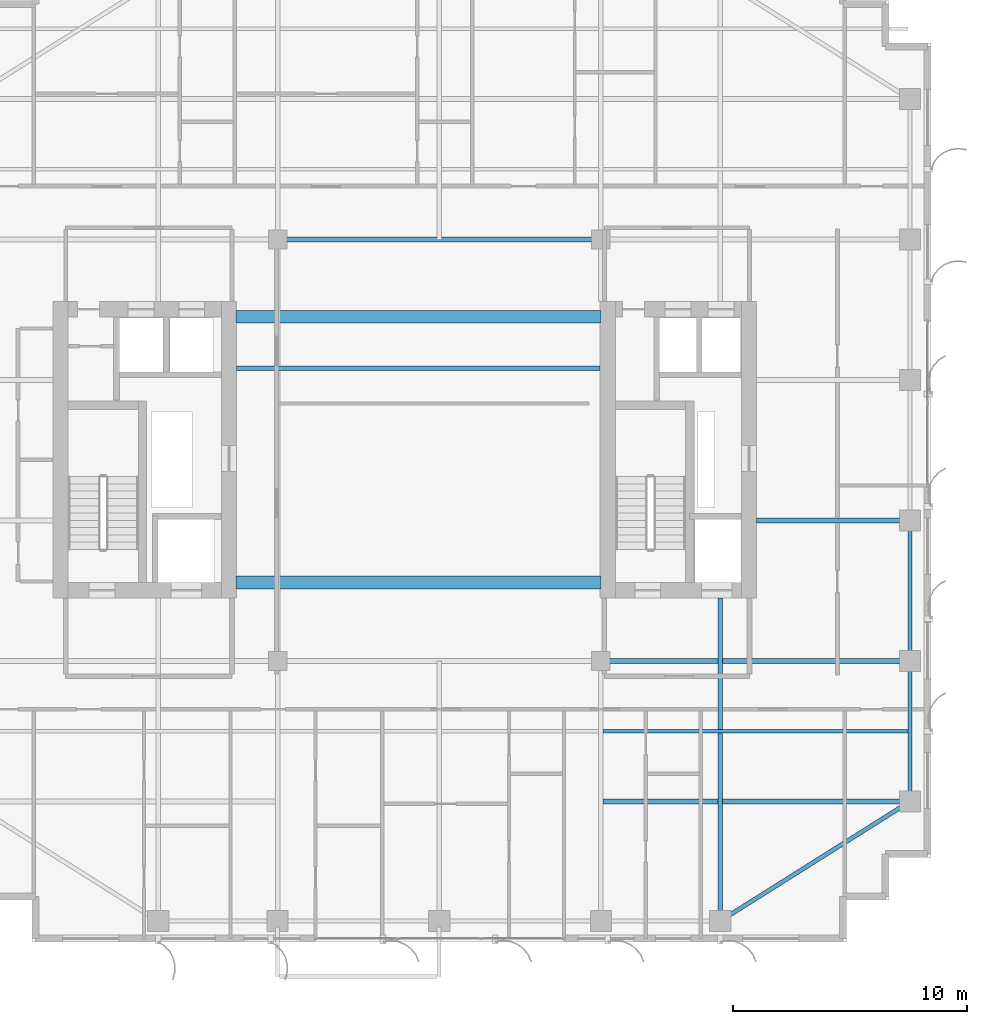
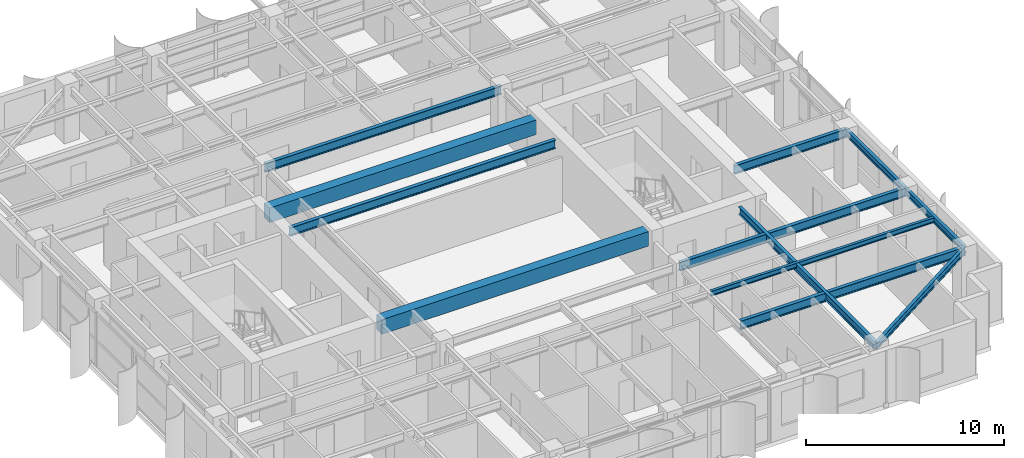
# One storey, part 8 of 23: 12 beams.
"""IFC4 building model written with IfcOpenShell, lengths in metres."""

from ifc_helpers import new_model, si_unit, direction, frame, origin, origin_2d, place, context, subcontext, project, spatial, rectangle, i_section, extrude, source, transform, mapped, material, material_profile, profile_set, type_object, element, save


model = new_model("IFC4")

# Units and contexts
model_context = context("Model", 3, precision=1e-05, world=origin(), true_north=direction((0.0, 1.0)))
body_context = subcontext(model_context, "Body", "Model", "MODEL_VIEW")
ifc_project = project(units=[si_unit("LENGTHUNIT", "METRE"), si_unit("AREAUNIT", "SQUARE_METRE"), si_unit("VOLUMEUNIT", "CUBIC_METRE"), si_unit("PLANEANGLEUNIT", "RADIAN"), si_unit("MASSUNIT", "GRAM", prefix="KILO")], contexts=[model_context])

# Site, building, storey
site_placement = place(None, origin())
site = spatial("IfcSite", under=ifc_project, at=site_placement, CompositionType="ELEMENT")
building_placement = place(site_placement, origin())
building = spatial("IfcBuilding", under=site, at=building_placement, Name="Khoralis Quay Care Tower", CompositionType="ELEMENT")
storey_placement = place(building_placement, frame((0.0, 0.0, 173.699951171875)))
storey = spatial("IfcBuildingStorey", under=building, at=storey_placement, Name="L45", CompositionType="ELEMENT", Elevation=173.699951171875)

# Beams
ifc_material_1 = material(Name="Concrete C65/80", Category="concrete")
ifc_material_profile_1 = material_profile(ifc_material_1, rectangle(XDim=0.550048828125, YDim=0.89990234375, at=origin_2d()), Name="Concrete C65/80")
ifc_profile_set_1 = profile_set([ifc_material_profile_1], Name="Concrete C65/80")
beam_type_1 = type_object("IfcBeamType", Name="CB-RC550X900", PredefinedType="LINTEL", material=ifc_profile_set_1)
shared_shape_1 = source(origin(), body_context, "Body", "SweptSolid", [
    extrude(rectangle(XDim=0.550048828125, YDim=0.89990234375, at=origin_2d()), origin(), (0.0, 0.0, 1.0), 15.579833984375),
])
for number, where, z_axis, x_axis, name in (
    (1, (15.320068359375, 15.35009765625, 2.89013671875), (1.0, 0.0, 0.0), (0.0, 1.0, 0.0), "L45 South Core Coupling Lintel"),
    (2, (15.320068359375, 26.699951171875, 2.89013671875), (1.0, 0.0, 0.0), (0.0, 1.0, 0.0), "L45 North Core Coupling Lintel"),
):
    element("IfcBeam", number, at=place(storey_placement, frame(where, z_axis=z_axis, x_axis=x_axis)), inside=storey, type_object=beam_type_1, Name=name, PredefinedType="LINTEL", context=body_context, shape_type="MappedRepresentation", body=[
        mapped(shared_shape_1, transform((0.0, 0.0, 0.0), scale=1.0)),
    ])
ifc_material_2 = material(Name="Steel S355", Category="steel")
ifc_material_profile_2 = material_profile(ifc_material_2, i_section(OverallWidth=0.179931640625, OverallDepth=0.39990234375, WebThickness=0.008544921875, FlangeThickness=0.013427734375, FilletRadius=0.02099609375, at=origin_2d()), Name="Steel S355")
ifc_profile_set_2 = profile_set([ifc_material_profile_2], Name="Steel S355")
beam_type_2 = type_object("IfcBeamType", Name="BM-IPE400", PredefinedType="SPANDREL", material=ifc_profile_set_2)
shared_shape_2 = source(origin(), body_context, "Body", "SweptSolid", [
    extrude(i_section(OverallWidth=0.179931640625, OverallDepth=0.39990234375, WebThickness=0.008544921875, FlangeThickness=0.013427734375, FilletRadius=0.02099609375, at=origin_2d()), origin(), (0.0, 0.0, 1.0), 6.0),
])
for number, where, z_axis, x_axis, name in (
    (3, (44.10009765625, 6.0, 3.14013671875), (0.0, 1.0, 0.0), (-1.0, 0.0, 0.0), "BM-TSP-L45-14"),
    (4, (44.10009765625, 12.0, 3.14013671875), (0.0, 1.0, 0.0), (-1.0, 0.0, 0.0), "BM-TSP-L45-15"),
):
    element("IfcBeam", number, at=place(storey_placement, frame(where, z_axis=z_axis, x_axis=x_axis)), inside=storey, type_object=beam_type_2, Name=name, PredefinedType="SPANDREL", context=body_context, shape_type="MappedRepresentation", body=[
        mapped(shared_shape_2, transform((0.0, 0.0, 0.0), scale=1.0)),
    ])
shared_shape_3 = source(origin(), body_context, "Body", "SweptSolid", [
    extrude(i_section(OverallWidth=0.179931640625, OverallDepth=0.39990234375, WebThickness=0.008544921875, FlangeThickness=0.013427734375, FilletRadius=0.02099609375, at=origin_2d()), origin(), (0.0, 0.0, 1.0), 9.572021484375),
])
beam_1_placement = place(storey_placement, frame((36.0, 0.89990234375, 3.14013671875), z_axis=(0.846231136359, 0.532815975602, 0.0), x_axis=(-0.532815975602, 0.846231136359, 0.0)))
element("IfcBeam", 5, at=beam_1_placement, inside=storey, type_object=beam_type_2, Name="BM-TCR-L45-20", PredefinedType="SPANDREL", context=body_context, shape_type="MappedRepresentation", body=[
    mapped(shared_shape_3, transform((0.0, 0.0, 0.0), scale=1.0)),
])
ifc_material_profile_3 = material_profile(ifc_material_2, i_section(OverallWidth=0.208984375, OverallDepth=0.532958984375, WebThickness=0.01025390625, FlangeThickness=0.015625, FilletRadius=0.01611328125, at=origin_2d()), Name="Steel S355")
ifc_profile_set_3 = profile_set([ifc_material_profile_3], Name="Steel S355")
beam_type_3 = type_object("IfcBeamType", Name="BM-W530X92", PredefinedType="BEAM", material=ifc_profile_set_3)
shared_shape_4 = source(origin(), body_context, "Body", "SweptSolid", [
    extrude(i_section(OverallWidth=0.208984375, OverallDepth=0.532958984375, WebThickness=0.01025390625, FlangeThickness=0.015625, FilletRadius=0.01611328125, at=origin_2d()), origin(), (0.0, 0.0, 1.0), 13.1162109375),
])
beam_2_placement = place(storey_placement, frame((30.98388671875, 6.0, 3.073486328125), z_axis=(1.0, 0.0, 0.0), x_axis=(0.0, 1.0, 0.0)))
element("IfcBeam", 6, at=beam_2_placement, inside=storey, type_object=beam_type_3, Name="BM-TGXE-L45-60", PredefinedType="BEAM", context=body_context, shape_type="MappedRepresentation", body=[
    mapped(shared_shape_4, transform((0.0, 0.0, 0.0), scale=1.0)),
])
shared_shape_5 = source(origin(), body_context, "Body", "SweptSolid", [
    extrude(i_section(OverallWidth=0.208984375, OverallDepth=0.532958984375, WebThickness=0.01025390625, FlangeThickness=0.015625, FilletRadius=0.01611328125, at=origin_2d()), origin(), (0.0, 0.0, 1.0), 13.2001953125),
])
beam_3_placement = place(storey_placement, frame((30.89990234375, 12.0, 3.073486328125), z_axis=(1.0, 0.0, 0.0), x_axis=(0.0, 1.0, 0.0)))
element("IfcBeam", 7, at=beam_3_placement, inside=storey, type_object=beam_type_3, Name="BM-TGXE-L45-120", PredefinedType="BEAM", context=body_context, shape_type="MappedRepresentation", body=[
    mapped(shared_shape_5, transform((0.0, 0.0, 0.0), scale=1.0)),
])
shared_shape_6 = source(origin(), body_context, "Body", "SweptSolid", [
    extrude(i_section(OverallWidth=0.208984375, OverallDepth=0.532958984375, WebThickness=0.01025390625, FlangeThickness=0.015625, FilletRadius=0.01611328125, at=origin_2d()), origin(), (0.0, 0.0, 1.0), 6.552001953125),
])
beam_4_placement = place(storey_placement, frame((37.548095703125, 18.0, 3.073486328125), z_axis=(1.0, 0.0, 0.0), x_axis=(0.0, 1.0, 0.0)))
element("IfcBeam", 8, at=beam_4_placement, inside=storey, type_object=beam_type_3, Name="BM-TGXE-L45-180", PredefinedType="BEAM", context=body_context, shape_type="MappedRepresentation", body=[
    mapped(shared_shape_6, transform((0.0, 0.0, 0.0), scale=1.0)),
])
shared_shape_7 = source(origin(), body_context, "Body", "SweptSolid", [
    extrude(i_section(OverallWidth=0.208984375, OverallDepth=0.532958984375, WebThickness=0.01025390625, FlangeThickness=0.015625, FilletRadius=0.01611328125, at=origin_2d()), origin(), (0.0, 0.0, 1.0), 13.7998046875),
])
beam_5_placement = place(storey_placement, frame((17.10009765625, 30.0, 3.073486328125), z_axis=(1.0, 0.0, 0.0), x_axis=(0.0, 1.0, 0.0)))
element("IfcBeam", 9, at=beam_5_placement, inside=storey, type_object=beam_type_3, Name="BM-TGCC-L45-300", PredefinedType="BEAM", context=body_context, shape_type="MappedRepresentation", body=[
    mapped(shared_shape_7, transform((0.0, 0.0, 0.0), scale=1.0)),
])
shared_shape_8 = source(origin(), body_context, "Body", "SweptSolid", [
    extrude(i_section(OverallWidth=0.208984375, OverallDepth=0.532958984375, WebThickness=0.01025390625, FlangeThickness=0.015625, FilletRadius=0.01611328125, at=origin_2d()), origin(), (0.0, 0.0, 1.0), 15.524169921875),
])
beam_6_placement = place(storey_placement, frame((15.347900390625, 24.5, 3.073486328125), z_axis=(1.0, 0.0, 0.0), x_axis=(0.0, 1.0, 0.0)))
element("IfcBeam", 10, at=beam_6_placement, inside=storey, type_object=beam_type_3, Name="BM-TGCC-L45-245", PredefinedType="BEAM", context=body_context, shape_type="MappedRepresentation", body=[
    mapped(shared_shape_8, transform((0.0, 0.0, 0.0), scale=1.0)),
])
ifc_material_profile_4 = material_profile(ifc_material_2, i_section(OverallWidth=0.19189453125, OverallDepth=0.462890625, WebThickness=0.010498046875, FlangeThickness=0.017578125, FilletRadius=0.014892578125, at=origin_2d()), Name="Steel S355")
ifc_profile_set_4 = profile_set([ifc_material_profile_4], Name="Steel S355")
beam_type_4 = type_object("IfcBeamType", Name="BM-W460X89", PredefinedType="BEAM", material=ifc_profile_set_4)
shared_shape_9 = source(origin(), body_context, "Body", "SweptSolid", [
    extrude(i_section(OverallWidth=0.19189453125, OverallDepth=0.462890625, WebThickness=0.010498046875, FlangeThickness=0.017578125, FilletRadius=0.014892578125, at=origin_2d()), origin(), (0.0, 0.0, 1.0), 13.802001953125),
])
beam_7_placement = place(storey_placement, frame((36.0, 0.89990234375, 3.108642578125), z_axis=(0.0, 1.0, 0.0), x_axis=(-1.0, 0.0, 0.0)))
element("IfcBeam", 11, at=beam_7_placement, inside=storey, type_object=beam_type_4, Name="BM-TGYS-L45-360", PredefinedType="BEAM", context=body_context, shape_type="MappedRepresentation", body=[
    mapped(shared_shape_9, transform((0.0, 0.0, 0.0), scale=1.0)),
])
ifc_material_profile_5 = material_profile(ifc_material_2, i_section(OverallWidth=0.1650390625, OverallDepth=0.31005859375, WebThickness=0.005859375, FlangeThickness=0.009765625, FilletRadius=0.011962890625, at=origin_2d()), Name="Steel S355")
ifc_profile_set_5 = profile_set([ifc_material_profile_5], Name="Steel S355")
beam_type_5 = type_object("IfcBeamType", Name="BM-W310X39", PredefinedType="JOIST", material=ifc_profile_set_5)
shared_shape_10 = source(origin(), body_context, "Body", "SweptSolid", [
    extrude(i_section(OverallWidth=0.1650390625, OverallDepth=0.31005859375, WebThickness=0.005859375, FlangeThickness=0.009765625, FilletRadius=0.011962890625, at=origin_2d()), origin(), (0.0, 0.0, 1.0), 13.0400390625),
])
beam_8_placement = place(storey_placement, frame((30.98388671875, 9.0, 3.18505859375), z_axis=(1.0, 0.0, 0.0), x_axis=(0.0, 1.0, 0.0)))
element("IfcBeam", 12, at=beam_8_placement, inside=storey, type_object=beam_type_5, Name="BM-TJS-L45-24", PredefinedType="JOIST", context=body_context, shape_type="MappedRepresentation", body=[
    mapped(shared_shape_10, transform((0.0, 0.0, 0.0), scale=1.0)),
])

save(model, "model.ifc")
